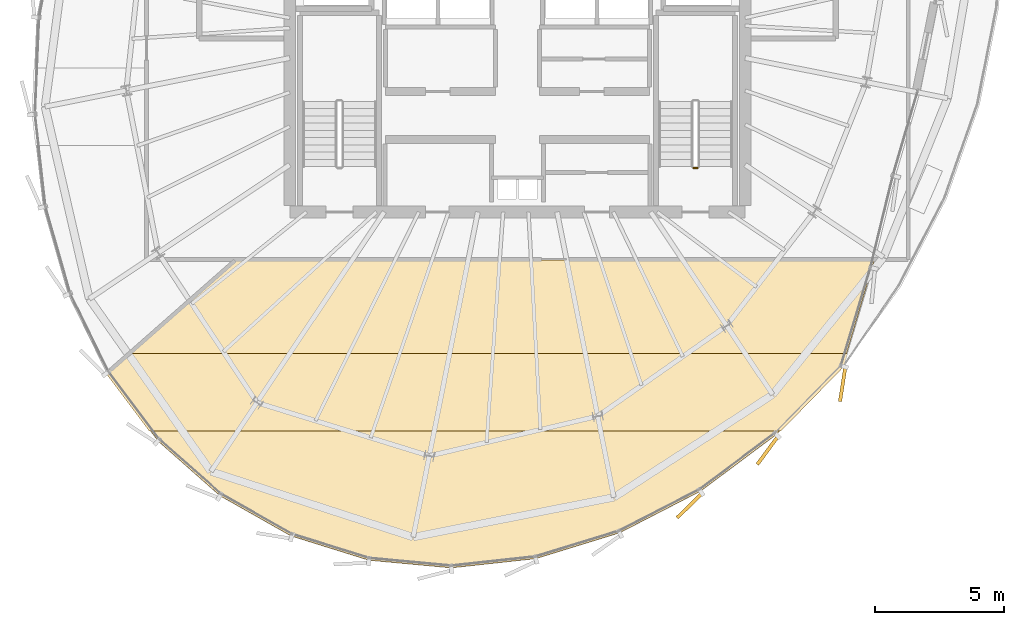
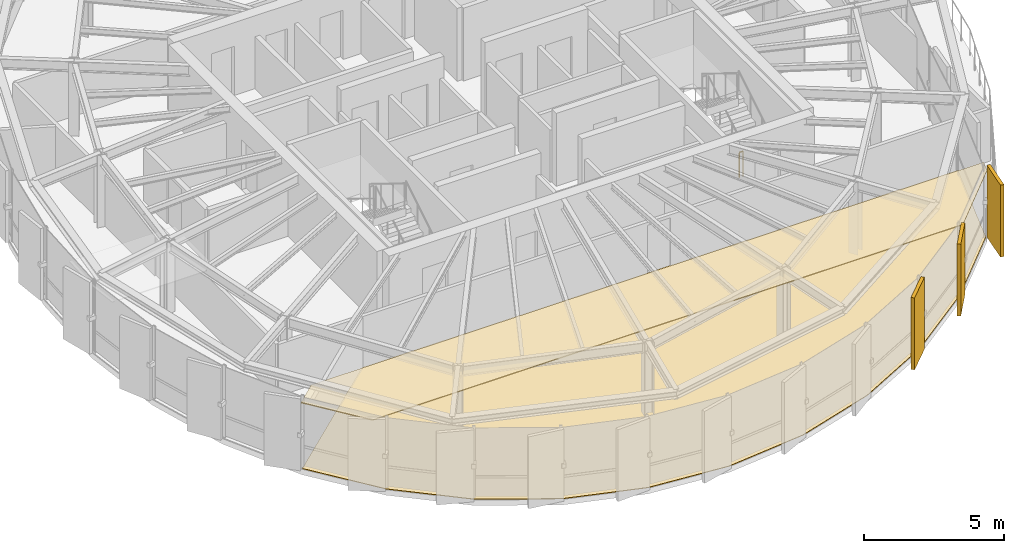
# One storey, part 29 of 31: 5 coverings, 1 railing.
"""IFC4 building model written with IfcOpenShell, lengths in metres."""

from ifc_helpers import new_model, si_unit, direction, frame, origin, origin_2d, place, context, subcontext, project, spatial, polyline, rectangle, circle, outline, extrude, source, transform, mapped, material, layer, layer_set, type_object, element, save


model = new_model("IFC4")

# Units and contexts
model_context = context("Model", 3, precision=1e-05, world=origin(), true_north=direction((0.0, 1.0)))
body_context = subcontext(model_context, "Body", "Model", "MODEL_VIEW")
ifc_project = project(units=[si_unit("LENGTHUNIT", "METRE"), si_unit("AREAUNIT", "SQUARE_METRE"), si_unit("VOLUMEUNIT", "CUBIC_METRE"), si_unit("PLANEANGLEUNIT", "RADIAN"), si_unit("MASSUNIT", "GRAM", prefix="KILO"), si_unit("THERMODYNAMICTEMPERATUREUNIT", "KELVIN")], contexts=[model_context])

# Site, building, storey
site_placement = place(None, origin())
site = spatial("IfcSite", under=ifc_project, at=site_placement, CompositionType="ELEMENT")
building_placement = place(site_placement, origin())
building = spatial("IfcBuilding", under=site, at=building_placement, Name="Kethvar Cultural Tower", CompositionType="ELEMENT")
storey_placement = place(building_placement, frame((0.0, 0.0, 300.85009765625)))
storey = spatial("IfcBuildingStorey", under=building, at=storey_placement, Name="L80", CompositionType="ELEMENT", Elevation=300.85009765625)

# Coverings
ifc_material_1 = material(Name="Acoustic Mineral Fibre Ceiling")
ifc_layer_1 = layer(ifc_material_1, 0.0400390625, Name="Acoustic Mineral Fibre Ceiling")
ifc_layer_set_1 = layer_set([ifc_layer_1], Name="Acoustic Mineral Fibre Ceiling (40 mm)")
covering_type_1 = type_object("IfcCoveringType", Name="CV-ACOUSTIC-CEIL", PredefinedType="CEILING", material=ifc_layer_set_1)
covering_1_placement = place(storey_placement, frame((0.0, 0.0, 2.889892578125)))
element("IfcCovering", 1, at=covering_1_placement, inside=storey, type_object=covering_type_1, Name="L80 Room 01 Acoustic Ceiling Panel", PredefinedType="CEILING", context=body_context, shape_type="SweptSolid", body=[
    extrude(outline(polyline([(59.413818359375, 14.123779296875), (56.987060546875, 11.63671875), (32.570068359375, 11.63671875), (30.899658203125, 13.86181640625), (31.760009765625, 14.626708984375), (59.5654296875, 14.626708984375), (59.413818359375, 14.123779296875)])), origin(), (0.0, 0.0, 1.0), 0.0400390625),
])
ifc_material_2 = material(Name="Architectural Oak Timber", Category="wood")
ifc_layer_2 = layer(ifc_material_2, 0.02490234375, Name="Architectural Oak Timber", Category="wood")
ifc_layer_set_2 = layer_set([ifc_layer_2], Name="Architectural Oak Timber (25 mm)")
covering_type_2 = type_object("IfcCoveringType", Name="CV-OAK-FLOOR", PredefinedType="FLOORING", material=ifc_layer_set_2)
covering_2_placement = place(storey_placement, origin())
element("IfcCovering", 2, at=covering_2_placement, inside=storey, type_object=covering_type_2, Name="L80 Room 01 Floor Finish", PredefinedType="FLOORING", context=body_context, shape_type="SweptSolid", body=[
    extrude(outline(polyline([(59.37744140625, 14.141845703125), (56.776123046875, 11.47802734375), (53.869384765625, 9.307861328125), (50.747802734375, 7.699951171875), (47.5068359375, 6.70263671875), (44.244384765625, 6.346435546875), (41.059814453125, 6.6416015625), (38.0498046875, 7.579833984375), (35.3056640625, 9.1318359375), (32.910400390625, 11.2509765625), (30.94677734375, 13.85986328125), (35.947998046875, 18.2490234375), (60.597412109375, 18.2490234375), (59.37744140625, 14.141845703125)])), origin(), (0.0, 0.0, 1.0), 0.02490234375),
])

# Railing
ifc_material_3 = material(Name="Steel S355J2", Category="steel")
railing_type = type_object("IfcRailingType", Name="RL-STAIR-GUARD", PredefinedType="BALUSTRADE", material=ifc_material_3)
railing_placement = place(storey_placement, frame((53.760009765625, 21.800048828125, 0.0)))
element("IfcRailing", 3, at=railing_placement, inside=storey, type_object=railing_type, Name="L80 ST-02 stair guard 4", PredefinedType="BALUSTRADE", context=body_context, shape_type="SweptSolid", body=[
    extrude(circle(Radius=0.02392578125, at=origin_2d()), frame((0.0, 0.0, 1.09619140625), z_axis=(-1.0, 0.0, 0.0), x_axis=(0.0, -1.0, 0.0)), (0.0, 0.0, 1.0), 0.159912109375),
    extrude(circle(Radius=0.02099609375, at=origin_2d()), origin(), (0.0, 0.0, 1.0), 1.072021484375),
    extrude(circle(Radius=0.02099609375, at=origin_2d()), frame((-0.159912109375, 0.0, 0.0)), (0.0, 0.0, 1.0), 1.072021484375),
])

# Coverings
ifc_material_4 = material(Name="Extruded Architectural Terracotta", Category="masonry")
ifc_layer_3 = layer(ifc_material_4, 0.135009765625, Name="Extruded Architectural Terracotta", Category="masonry")
ifc_layer_set_3 = layer_set([ifc_layer_3], Name="Extruded Architectural Terracotta (135 mm)")
covering_type_3 = type_object("IfcCoveringType", Name="Terracotta Facade Fin FIN-03", PredefinedType="CLADDING", material=ifc_layer_set_3)
shared_shape = source(origin(), body_context, "Body", "SweptSolid", [
    extrude(rectangle(XDim=1.35009765625, YDim=0.135009765625, at=origin_2d()), origin(), (0.0, 0.0, 1.0), 3.14501953125),
])
for number, where, z_axis, x_axis, name in (
    (4, (53.448486328125, 8.751708984375, 0.019775390625), (0.0, 0.0, 1.0), (-0.710308238555, -0.703890763003, 0.0), "L80 Vertical Terracotta Fin 4.6"),
    (5, (56.4716796875, 10.888671875, 0.019775390625), (0.0, 0.0, 1.0), (-0.592294464767, -0.805721581569, 0.0), "L80 Vertical Terracotta Fin 5.1"),
    (6, (59.368896484375, 13.441162109375, 0.019775390625), (0.0, 0.0, 1.0), (-0.152468380166, -0.988308349175, 0.0), "L80 Vertical Terracotta Fin 5.2"),
):
    element("IfcCovering", number, at=place(storey_placement, frame(where, z_axis=z_axis, x_axis=x_axis)), inside=storey, type_object=covering_type_3, Name=name, PredefinedType="CLADDING", context=body_context, shape_type="MappedRepresentation", body=[
        mapped(shared_shape, transform((0.0, 0.0, 0.0), scale=1.0)),
    ])

save(model, "model.ifc")
